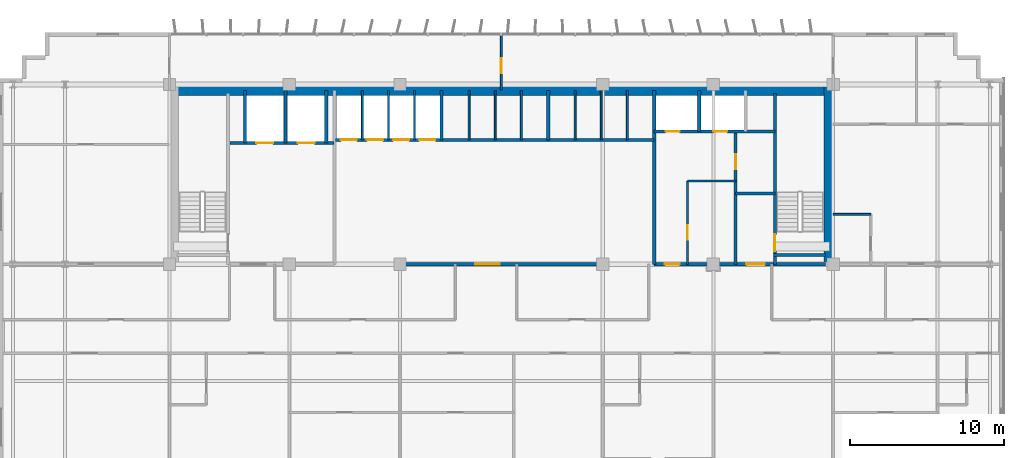
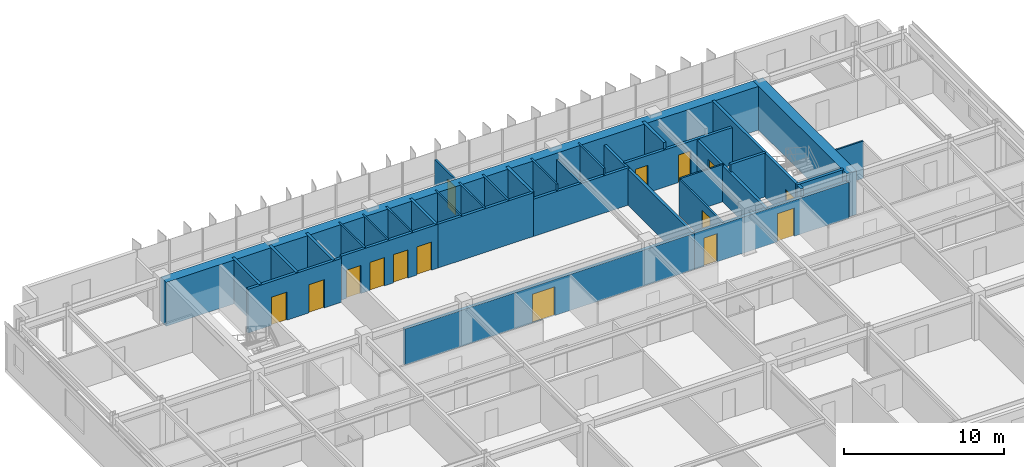
# One storey, part 18 of 22: 33 walls, 15 doors, 15 openings.
"""IFC4 building model written with IfcOpenShell, lengths in metres."""

from ifc_helpers import new_model, si_unit, direction, frame, frame_2d, origin, place, context, subcontext, project, spatial, rectangle, extrude, source, transform, mapped, material, layer, layer_set, type_object, element, fill, save


model = new_model("IFC4")

# Units and contexts
model_context = context("Model", 3, precision=1e-05, world=origin(), true_north=direction((0.0, 1.0)))
body_context = subcontext(model_context, "Body", "Model", "MODEL_VIEW")
ifc_project = project(units=[si_unit("LENGTHUNIT", "METRE"), si_unit("AREAUNIT", "SQUARE_METRE"), si_unit("VOLUMEUNIT", "CUBIC_METRE"), si_unit("PLANEANGLEUNIT", "RADIAN"), si_unit("MASSUNIT", "GRAM", prefix="KILO")], contexts=[model_context])

# Site, building, storey
site_placement = place(None, origin())
site = spatial("IfcSite", under=ifc_project, at=site_placement, CompositionType="ELEMENT")
building_placement = place(site_placement, origin())
building = spatial("IfcBuilding", under=site, at=building_placement, Name="Trelvane Seafront Commons", CompositionType="ELEMENT")
storey_placement = place(building_placement, frame((0.0, 0.0, 121.300048828125)))
storey = spatial("IfcBuildingStorey", under=building, at=storey_placement, Name="L31", CompositionType="ELEMENT", Elevation=121.300048828125)

# Wall, opening, door
ifc_material_1 = material(Name="Concrete C40/50", Category="concrete")
ifc_layer_1 = layer(ifc_material_1, 0.199951171875, Name="ARCH-WALL-FIRE200")
ifc_layer_set_1 = layer_set([ifc_layer_1], Name="Concrete C40/50")
wall_type_1 = type_object("IfcWallType", Name="ARCH-WALL-FIRE200", PredefinedType="PARTITIONING", material=ifc_layer_set_1)
wall_1_placement = place(storey_placement, frame((52.449951171875, 33.39990234375, 0.0), z_axis=(0.0, 0.0, 1.0), x_axis=(0.0, 1.0, 0.0)))
wall_1 = element("IfcWall", 1, at=wall_1_placement, inside=storey, type_object=wall_type_1, Name="W-L31-ST2V-W-033", PredefinedType="PARTITIONING", context=body_context, shape_type="SweptSolid", body=[
    extrude(rectangle(XDim=8.650146484375, YDim=0.199951171875, at=frame_2d((4.3251953125, 0.0))), origin(), (0.0, 0.0, 1.0), 2.751953125),
])
opening_1_placement = place(wall_1_placement, frame((6.199951171875, 0.0, 0.0)))
opening_1 = element("IfcOpeningElement", 2, at=opening_1_placement, cuts=wall_1, Name="Opening FD-L31-13", PredefinedType="OPENING", context=body_context, shape_type="SweptSolid", body=[
    extrude(rectangle(XDim=0.949951171875, YDim=2.14990234375, at=frame_2d((0.47509765625, 1.074951171875))), frame((0.0, 0.10986328125, 0.0), z_axis=(0.0, -1.0, 0.0), x_axis=(1.0, 0.0, 0.0)), (0.0, 0.0, 1.0), 0.219970703125),
])
ifc_material_2 = material(Name="Powder-coated aluminium frame", Category="aluminium")
door_type_1 = type_object("IfcDoorType", Name="ARCH-DR-FD60-950", OperationType="NOTDEFINED", PredefinedType="DOOR", material=ifc_material_2)
shared_shape_1 = source(origin(), body_context, "Body", "SweptSolid", [
    extrude(rectangle(XDim=0.949951171875, YDim=2.14990234375, at=frame_2d((0.47509765625, 1.074951171875))), frame((0.0, 0.02490234375, 0.0), z_axis=(0.0, -1.0, 0.0), x_axis=(1.0, 0.0, 0.0)), (0.0, 0.0, 1.0), 0.050048828125),
])
door_1_placement = place(opening_1_placement, origin())
door_1 = element("IfcDoor", 3, at=door_1_placement, inside=storey, type_object=door_type_1, Name="L31 Cleaner Store Door", OperationType="SINGLE_SWING_LEFT", OverallHeight=2.14990234375, OverallWidth=0.949951171875, PredefinedType="DOOR", context=body_context, shape_type="MappedRepresentation", body=[
    mapped(shared_shape_1, transform((0.0, 0.0, 0.0), x_axis=(1.0, 0.0, 0.0), y_axis=(0.0, 1.0, 0.0), z_axis=(0.0, 0.0, 1.0), scale=1.0)),
])
fill(opening_1, door_1)

# Wall
wall_2_placement = place(storey_placement, frame((52.449951171875, 38.0, 0.0), z_axis=(0.0, 0.0, 1.0), x_axis=(1.0, 0.0, 0.0)))
element("IfcWall", 4, at=wall_2_placement, inside=storey, type_object=wall_type_1, Name="W-L31-ST2V-N-034", PredefinedType="PARTITIONING", context=body_context, shape_type="SweptSolid", body=[
    extrude(rectangle(XDim=2.550048828125, YDim=0.199951171875, at=frame_2d((1.27490234375, 0.0))), origin(), (0.0, 0.0, 1.0), 3.33984375),
])

# Wall, opening, door
ifc_layer_2 = layer(ifc_material_1, 0.25, Name="ARCH-WALL-FIRE250")
ifc_layer_set_2 = layer_set([ifc_layer_2], Name="Concrete C40/50")
wall_type_2 = type_object("IfcWallType", Name="ARCH-WALL-FIRE250", PredefinedType="PARTITIONING", material=ifc_layer_set_2)
wall_3_placement = place(storey_placement, frame((26.300048828125, 33.39990234375, 0.0), z_axis=(0.0, 0.0, 1.0), x_axis=(1.0, 0.0, 0.0)))
wall_3 = element("IfcWall", 5, at=wall_3_placement, inside=storey, type_object=wall_type_2, Name="W-L31-CS-PAX-029", PredefinedType="PARTITIONING", context=body_context, shape_type="SweptSolid", body=[
    extrude(rectangle(XDim=20.849853515625, YDim=0.25, at=frame_2d((10.4248046875, 0.0))), origin(), (0.0, 0.0, 1.0), 2.751953125),
])
opening_2_placement = place(wall_3_placement, frame((9.199951171875, 0.0, 0.0)))
opening_2 = element("IfcOpeningElement", 6, at=opening_2_placement, cuts=wall_3, Name="Opening FD-L31-10", PredefinedType="OPENING", context=body_context, shape_type="SweptSolid", body=[
    extrude(rectangle(XDim=1.60009765625, YDim=2.199951171875, at=frame_2d((0.800048828125, 1.10009765625))), frame((0.0, 0.135009765625, 0.0), z_axis=(0.0, -1.0, 0.0), x_axis=(1.0, 0.0, 0.0)), (0.0, 0.0, 1.0), 0.27001953125),
])
door_type_2 = type_object("IfcDoorType", Name="ARCH-DR-FD60-1600", OperationType="DOUBLE_DOOR_SINGLE_SWING", PredefinedType="DOOR", material=ifc_material_2)
shared_shape_2 = source(origin(), body_context, "Body", "SweptSolid", [
    extrude(rectangle(XDim=1.60009765625, YDim=2.199951171875, at=frame_2d((0.800048828125, 1.10009765625))), frame((0.0, 0.02490234375, 0.0), z_axis=(0.0, -1.0, 0.0), x_axis=(1.0, 0.0, 0.0)), (0.0, 0.0, 1.0), 0.050048828125),
])
door_2_placement = place(opening_2_placement, origin())
door_2 = element("IfcDoor", 7, at=door_2_placement, inside=storey, type_object=door_type_2, Name="L31 Passenger Lift Lobby Double Door", OperationType="DOUBLE_DOOR_SINGLE_SWING", OverallHeight=2.199951171875, OverallWidth=1.60009765625, PredefinedType="DOOR", context=body_context, shape_type="MappedRepresentation", body=[
    mapped(shared_shape_2, transform((0.0, 0.0, 0.0), x_axis=(1.0, 0.0, 0.0), y_axis=(0.0, 1.0, 0.0), z_axis=(0.0, 0.0, 1.0), scale=1.0)),
])
fill(opening_2, door_2)

# Wall, openings, doors
wall_4_placement = place(storey_placement, frame((47.14990234375, 33.39990234375, 0.0), z_axis=(0.0, 0.0, 1.0), x_axis=(1.0, 0.0, 0.0)))
wall_4 = element("IfcWall", 8, at=wall_4_placement, inside=storey, type_object=wall_type_2, Name="W-L31-CS-EAST-037", PredefinedType="PARTITIONING", context=body_context, shape_type="SweptSolid", body=[
    extrude(rectangle(XDim=11.150146484375, YDim=0.25, at=frame_2d((5.5751953125, 0.0))), origin(), (0.0, 0.0, 1.0), 2.751953125),
])
opening_3_placement = place(wall_4_placement, frame((0.699951171875, 0.0, 0.0)))
opening_3 = element("IfcOpeningElement", 9, at=opening_3_placement, cuts=wall_4, Name="Opening FD-L31-15", PredefinedType="OPENING", context=body_context, shape_type="SweptSolid", body=[
    extrude(rectangle(XDim=0.949951171875, YDim=2.14990234375, at=frame_2d((0.47509765625, 1.074951171875))), frame((0.0, 0.135009765625, 0.0), z_axis=(0.0, -1.0, 0.0), x_axis=(1.0, 0.0, 0.0)), (0.0, 0.0, 1.0), 0.27001953125),
])
opening_4_placement = place(wall_4_placement, frame((6.0, 0.0, 0.0)))
opening_4 = element("IfcOpeningElement", 10, at=opening_4_placement, cuts=wall_4, Name="Opening FD-L31-16", PredefinedType="OPENING", context=body_context, shape_type="SweptSolid", body=[
    extrude(rectangle(XDim=1.199951171875, YDim=2.14990234375, at=frame_2d((0.60009765625, 1.074951171875))), frame((0.0, 0.135009765625, 0.0), z_axis=(0.0, -1.0, 0.0), x_axis=(1.0, 0.0, 0.0)), (0.0, 0.0, 1.0), 0.27001953125),
])
door_3_placement = place(opening_3_placement, origin())
door_3 = element("IfcDoor", 11, at=door_3_placement, inside=storey, type_object=door_type_1, Name="L31 Core Service Lobby Door", OperationType="SINGLE_SWING_LEFT", OverallHeight=2.14990234375, OverallWidth=0.949951171875, PredefinedType="DOOR", context=body_context, shape_type="MappedRepresentation", body=[
    mapped(shared_shape_1, transform((0.0, 0.0, 0.0), x_axis=(1.0, 0.0, 0.0), y_axis=(0.0, 1.0, 0.0), z_axis=(0.0, 0.0, 1.0), scale=1.0)),
])
fill(opening_3, door_3)
door_type_3 = type_object("IfcDoorType", Name="ARCH-DR-FD60-1200", OperationType="NOTDEFINED", PredefinedType="DOOR", material=ifc_material_2)
shared_shape_3 = source(origin(), body_context, "Body", "SweptSolid", [
    extrude(rectangle(XDim=1.199951171875, YDim=2.14990234375, at=frame_2d((0.60009765625, 1.074951171875))), frame((0.0, 0.02490234375, 0.0), z_axis=(0.0, -1.0, 0.0), x_axis=(1.0, 0.0, 0.0)), (0.0, 0.0, 1.0), 0.050048828125),
])
door_4_placement = place(opening_4_placement, origin())
door_4 = element("IfcDoor", 12, at=door_4_placement, inside=storey, type_object=door_type_3, Name="L31 East Stair Vestibule Fire Door", OperationType="SINGLE_SWING_RIGHT", OverallHeight=2.14990234375, OverallWidth=1.199951171875, PredefinedType="DOOR", context=body_context, shape_type="MappedRepresentation", body=[
    mapped(shared_shape_3, transform((0.0, 0.0, 0.0), x_axis=(1.0, 0.0, 0.0), y_axis=(0.0, 1.0, 0.0), z_axis=(0.0, 0.0, 1.0), scale=1.0)),
])
fill(opening_4, door_4)

# Walls
ifc_material_3 = material(Name="Gypsum Drywall Acoustic Partition")
ifc_layer_3 = layer(ifc_material_3, 0.1201171875, Name="ARCH-WALL-PART120")
ifc_layer_set_3 = layer_set([ifc_layer_3], Name="Gypsum Drywall Acoustic Partition")
wall_type_3 = type_object("IfcWallType", Name="ARCH-WALL-PART120", PredefinedType="PARTITIONING", material=ifc_layer_set_3)
for number, where, z_axis, x_axis, name in (
    (13, (28.14990234375, 41.5, 0.0), (0.0, 0.0, 1.0), (0.0, 1.0, 0.0), "W-L31-PL-DIV1-016"),
    (14, (29.85009765625, 41.5, 0.0), (0.0, 0.0, 1.0), (0.0, 1.0, 0.0), "W-L31-PL-DIV2-017"),
    (15, (31.550048828125, 41.5, 0.0), (0.0, 0.0, 1.0), (0.0, 1.0, 0.0), "W-L31-PL-DIV3-018"),
    (16, (35.10009765625, 41.5, 0.0), (0.0, 0.0, 1.0), (0.0, 1.0, 0.0), "W-L31-PM-DIV1-020"),
    (17, (36.800048828125, 41.5, 0.0), (0.0, 0.0, 1.0), (0.0, 1.0, 0.0), "W-L31-PM-DIV2-021"),
    (18, (38.5, 41.5, 0.0), (0.0, 0.0, 1.0), (0.0, 1.0, 0.0), "W-L31-PM-DIV3-022"),
    (19, (42.0, 41.5, 0.0), (0.0, 0.0, 1.0), (0.0, 1.0, 0.0), "W-L31-PH-DIV1-025"),
):
    element("IfcWall", number, at=place(storey_placement, frame(where, z_axis=z_axis, x_axis=x_axis)), inside=storey, type_object=wall_type_3, Name=name, PredefinedType="PARTITIONING", context=body_context, shape_type="SweptSolid", body=[
        extrude(rectangle(XDim=3.199951171875, YDim=0.1201171875, at=frame_2d((1.60009765625, 0.0))), origin(), (0.0, 0.0, 1.0), 3.33984375),
    ])
wall_5_placement = place(storey_placement, frame((43.699951171875, 41.5, 0.0), z_axis=(0.0, 0.0, 1.0), x_axis=(0.0, 1.0, 0.0)))
element("IfcWall", 20, at=wall_5_placement, inside=storey, type_object=wall_type_3, Name="W-L31-PH-DIV2-026", PredefinedType="PARTITIONING", context=body_context, shape_type="SweptSolid", body=[
    extrude(rectangle(XDim=3.199951171875, YDim=0.1201171875, at=frame_2d((1.60009765625, 0.0))), origin(), (0.0, 0.0, 1.0), 2.83984375),
])
wall_6_placement = place(storey_placement, frame((45.39990234375, 41.5, 0.0), z_axis=(0.0, 0.0, 1.0), x_axis=(0.0, 1.0, 0.0)))
element("IfcWall", 21, at=wall_6_placement, inside=storey, type_object=wall_type_3, Name="W-L31-PH-DIV3-027", PredefinedType="PARTITIONING", context=body_context, shape_type="SweptSolid", body=[
    extrude(rectangle(XDim=3.199951171875, YDim=0.1201171875, at=frame_2d((1.60009765625, 0.0))), origin(), (0.0, 0.0, 1.0), 3.33984375),
])

# Wall, opening, door
wall_7_placement = place(storey_placement, frame((49.320068359375, 33.39990234375, 0.0), z_axis=(0.0, 0.0, 1.0), x_axis=(0.0, 1.0, 0.0)))
wall_7 = element("IfcWall", 22, at=wall_7_placement, inside=storey, type_object=wall_type_3, Name="W-L31-CYC2-V-035", PredefinedType="PARTITIONING", context=body_context, shape_type="SweptSolid", body=[
    extrude(rectangle(XDim=5.420166015625, YDim=0.1201171875, at=frame_2d((2.7099609375, 0.0))), origin(), (0.0, 0.0, 1.0), 2.751953125),
])
opening_5_placement = place(wall_7_placement, frame((1.60009765625, 0.0, 0.0)))
opening_5 = element("IfcOpeningElement", 23, at=opening_5_placement, cuts=wall_7, Name="Opening D-L31-14", PredefinedType="OPENING", context=body_context, shape_type="SweptSolid", body=[
    extrude(rectangle(XDim=0.949951171875, YDim=2.14990234375, at=frame_2d((0.47509765625, 1.074951171875))), frame((0.0, 0.070068359375, 0.0), z_axis=(0.0, -1.0, 0.0), x_axis=(1.0, 0.0, 0.0)), (0.0, 0.0, 1.0), 0.14013671875),
])
ifc_material_4 = material(Name="Acoustic timber door leaf", Category="wood")
door_type_4 = type_object("IfcDoorType", Name="ARCH-DR-INT950", OperationType="NOTDEFINED", PredefinedType="DOOR", material=ifc_material_4)
door_5_placement = place(opening_5_placement, origin())
door_5 = element("IfcDoor", 24, at=door_5_placement, inside=storey, type_object=door_type_4, Name="L31 Accessible WC Door", OperationType="SINGLE_SWING_RIGHT", OverallHeight=2.14990234375, OverallWidth=0.949951171875, PredefinedType="DOOR", context=body_context, shape_type="MappedRepresentation", body=[
    mapped(shared_shape_1, transform((0.0, 0.0, 0.0), x_axis=(1.0, 0.0, 0.0), y_axis=(0.0, 1.0, 0.0), z_axis=(0.0, 0.0, 1.0), scale=1.0)),
])
fill(opening_5, door_5)

# Walls
wall_8_placement = place(storey_placement, frame((49.320068359375, 38.820068359375, 0.0), z_axis=(0.0, 0.0, 1.0), x_axis=(1.0, 0.0, 0.0)))
element("IfcWall", 25, at=wall_8_placement, inside=storey, type_object=wall_type_3, Name="W-L31-CYC2-H-036", PredefinedType="PARTITIONING", context=body_context, shape_type="SweptSolid", body=[
    extrude(rectangle(XDim=3.1298828125, YDim=0.1201171875, at=frame_2d((1.56494140625, 0.0))), origin(), (0.0, 0.0, 1.0), 2.83984375),
])
wall_9_placement = place(storey_placement, frame((58.800048828125, 36.64990234375, 0.0), z_axis=(0.0, 0.0, 1.0), x_axis=(1.0, 0.0, 0.0)))
element("IfcWall", 26, at=wall_9_placement, inside=storey, type_object=wall_type_3, Name="W-L31-NE-BN-052", PredefinedType="PARTITIONING", context=body_context, shape_type="SweptSolid", body=[
    extrude(rectangle(XDim=2.449951171875, YDim=0.1201171875, at=frame_2d((1.22509765625, 0.0))), origin(), (0.0, 0.0, 1.0), 2.83984375),
])

# Wall, opening, door
wall_10_placement = place(storey_placement, frame((37.199951171875, 44.75, 0.0), z_axis=(0.0, 0.0, 1.0), x_axis=(0.0, 1.0, 0.0)))
wall_10 = element("IfcWall", 27, at=wall_10_placement, inside=storey, type_object=wall_type_3, Name="W-L31-N-MID-DV-057", PredefinedType="PARTITIONING", context=body_context, shape_type="SweptSolid", body=[
    extrude(rectangle(XDim=3.610107421875, YDim=0.1201171875, at=frame_2d((1.80517578125, 0.0))), origin(), (0.0, 0.0, 1.0), 2.751953125),
])
opening_6_placement = place(wall_10_placement, frame((1.10009765625, 0.0, 0.0)))
opening_6 = element("IfcOpeningElement", 28, at=opening_6_placement, cuts=wall_10, Name="Opening D-L31-28", PredefinedType="OPENING", context=body_context, shape_type="SweptSolid", body=[
    extrude(rectangle(XDim=0.949951171875, YDim=2.14990234375, at=frame_2d((0.47509765625, 1.074951171875))), frame((0.0, 0.070068359375, 0.0), z_axis=(0.0, -1.0, 0.0), x_axis=(1.0, 0.0, 0.0)), (0.0, 0.0, 1.0), 0.14013671875),
])
door_6_placement = place(opening_6_placement, origin())
door_6 = element("IfcDoor", 29, at=door_6_placement, inside=storey, type_object=door_type_4, Name="L31 Door 28", OperationType="SINGLE_SWING_RIGHT", OverallHeight=2.14990234375, OverallWidth=0.949951171875, PredefinedType="DOOR", context=body_context, shape_type="MappedRepresentation", body=[
    mapped(shared_shape_1, transform((0.0, 0.0, 0.0), x_axis=(1.0, 0.0, 0.0), y_axis=(0.0, 1.0, 0.0), z_axis=(0.0, 0.0, 1.0), scale=1.0)),
])
fill(opening_6, door_6)

# Wall, openings, doors
ifc_layer_4 = layer(ifc_material_1, 0.199951171875, Name="ARCH-WALL-SHAFT200")
ifc_layer_set_4 = layer_set([ifc_layer_4], Name="Concrete C40/50")
wall_type_4 = type_object("IfcWallType", Name="ARCH-WALL-SHAFT200", PredefinedType="SOLIDWALL", material=ifc_layer_set_4)
wall_11_placement = place(storey_placement, frame((19.550048828125, 41.300048828125, 0.0), z_axis=(0.0, 0.0, 1.0), x_axis=(1.0, 0.0, 0.0)))
wall_11 = element("IfcWall", 30, at=wall_11_placement, inside=storey, type_object=wall_type_4, Name="W-L31-FFL-FRONT-008", PredefinedType="SOLIDWALL", context=body_context, shape_type="SweptSolid", body=[
    extrude(rectangle(XDim=6.75, YDim=0.199951171875, at=frame_2d((3.375, 0.0))), origin(), (0.0, 0.0, 1.0), 3.33984375),
])
opening_7_placement = place(wall_11_placement, frame((1.699951171875, 0.0, 0.0)))
opening_7 = element("IfcOpeningElement", 31, at=opening_7_placement, cuts=wall_11, Name="Opening LD-FF1-L31", PredefinedType="OPENING", context=body_context, shape_type="SweptSolid", body=[
    extrude(rectangle(XDim=1.10009765625, YDim=2.14990234375, at=frame_2d((0.550048828125, 1.074951171875))), frame((0.0, 0.10986328125, 0.0), z_axis=(0.0, -1.0, 0.0), x_axis=(1.0, 0.0, 0.0)), (0.0, 0.0, 1.0), 0.219970703125),
])
opening_8_placement = place(wall_11_placement, frame((4.39990234375, 0.0, 0.0)))
opening_8 = element("IfcOpeningElement", 32, at=opening_8_placement, cuts=wall_11, Name="Opening LD-FF2-L31", PredefinedType="OPENING", context=body_context, shape_type="SweptSolid", body=[
    extrude(rectangle(XDim=1.10009765625, YDim=2.14990234375, at=frame_2d((0.550048828125, 1.074951171875))), frame((0.0, 0.10986328125, 0.0), z_axis=(0.0, -1.0, 0.0), x_axis=(1.0, 0.0, 0.0)), (0.0, 0.0, 1.0), 0.219970703125),
])
ifc_material_5 = material(Name="Stainless steel balustrade", Category="steel")
door_type_5 = type_object("IfcDoorType", Name="ARCH-DR-LD1100", OperationType="DOUBLE_DOOR_SLIDING", PredefinedType="DOOR", material=ifc_material_5)
shared_shape_4 = source(origin(), body_context, "Body", "SweptSolid", [
    extrude(rectangle(XDim=1.10009765625, YDim=2.14990234375, at=frame_2d((0.550048828125, 1.074951171875))), frame((0.0, 0.02490234375, 0.0), z_axis=(0.0, -1.0, 0.0), x_axis=(1.0, 0.0, 0.0)), (0.0, 0.0, 1.0), 0.050048828125),
])
door_7_placement = place(opening_7_placement, origin())
door_7 = element("IfcDoor", 33, at=door_7_placement, inside=storey, type_object=door_type_5, Name="L31 Firefighting Lift FFL-1 Landing Door", OperationType="DOUBLE_DOOR_SLIDING", OverallHeight=2.14990234375, OverallWidth=1.10009765625, PredefinedType="DOOR", context=body_context, shape_type="MappedRepresentation", body=[
    mapped(shared_shape_4, transform((0.0, 0.0, 0.0), x_axis=(1.0, 0.0, 0.0), y_axis=(0.0, 1.0, 0.0), z_axis=(0.0, 0.0, 1.0), scale=1.0)),
])
fill(opening_7, door_7)
door_8_placement = place(opening_8_placement, origin())
door_8 = element("IfcDoor", 34, at=door_8_placement, inside=storey, type_object=door_type_5, Name="L31 Firefighting Lift FFL-2 Landing Door", OperationType="DOUBLE_DOOR_SLIDING", OverallHeight=2.14990234375, OverallWidth=1.10009765625, PredefinedType="DOOR", context=body_context, shape_type="MappedRepresentation", body=[
    mapped(shared_shape_4, transform((0.0, 0.0, 0.0), x_axis=(1.0, 0.0, 0.0), y_axis=(0.0, 1.0, 0.0), z_axis=(0.0, 0.0, 1.0), scale=1.0)),
])
fill(opening_8, door_8)

# Walls
for number, where, z_axis, x_axis, name in (
    (35, (20.5, 41.300048828125, 0.0), (0.0, 0.0, 1.0), (0.0, 1.0, 0.0), "W-L31-FFL-SH-W-009"),
    (36, (23.14990234375, 41.300048828125, 0.0), (0.0, 0.0, 1.0), (0.0, 1.0, 0.0), "W-L31-FFL-DIV-010"),
    (37, (25.800048828125, 41.300048828125, 0.0), (0.0, 0.0, 1.0), (0.0, 1.0, 0.0), "W-L31-FFL-SH-E-011"),
):
    element("IfcWall", number, at=place(storey_placement, frame(where, z_axis=z_axis, x_axis=x_axis)), inside=storey, type_object=wall_type_4, Name=name, PredefinedType="SOLIDWALL", context=body_context, shape_type="SweptSolid", body=[
        extrude(rectangle(XDim=3.39990234375, YDim=0.199951171875, at=frame_2d((1.699951171875, 0.0))), origin(), (0.0, 0.0, 1.0), 3.33984375),
    ])

# Wall, openings, doors
wall_12_placement = place(storey_placement, frame((26.39990234375, 41.5, 0.0), z_axis=(0.0, 0.0, 1.0), x_axis=(1.0, 0.0, 0.0)))
wall_12 = element("IfcWall", 38, at=wall_12_placement, inside=storey, type_object=wall_type_4, Name="W-L31-PL-FRONT-014", PredefinedType="SOLIDWALL", context=body_context, shape_type="SweptSolid", body=[
    extrude(rectangle(XDim=6.9501953125, YDim=0.199951171875, at=frame_2d((3.47509765625, 0.0))), origin(), (0.0, 0.0, 1.0), 3.33984375),
])
opening_9_placement = place(wall_12_placement, frame((0.35009765625, 0.0, 0.0)))
opening_9 = element("IfcOpeningElement", 39, at=opening_9_placement, cuts=wall_12, Name="Opening LD-PL1-L31", PredefinedType="OPENING", context=body_context, shape_type="SweptSolid", body=[
    extrude(rectangle(XDim=1.050048828125, YDim=2.14990234375, at=frame_2d((0.52490234375, 1.074951171875))), frame((0.0, 0.10986328125, 0.0), z_axis=(0.0, -1.0, 0.0), x_axis=(1.0, 0.0, 0.0)), (0.0, 0.0, 1.0), 0.219970703125),
])
opening_10_placement = place(wall_12_placement, frame((2.050048828125, 0.0, 0.0)))
opening_10 = element("IfcOpeningElement", 40, at=opening_10_placement, cuts=wall_12, Name="Opening LD-PL2-L31", PredefinedType="OPENING", context=body_context, shape_type="SweptSolid", body=[
    extrude(rectangle(XDim=1.050048828125, YDim=2.14990234375, at=frame_2d((0.52490234375, 1.074951171875))), frame((0.0, 0.10986328125, 0.0), z_axis=(0.0, -1.0, 0.0), x_axis=(1.0, 0.0, 0.0)), (0.0, 0.0, 1.0), 0.219970703125),
])
opening_11_placement = place(wall_12_placement, frame((3.75, 0.0, 0.0)))
opening_11 = element("IfcOpeningElement", 41, at=opening_11_placement, cuts=wall_12, Name="Opening LD-PL3-L31", PredefinedType="OPENING", context=body_context, shape_type="SweptSolid", body=[
    extrude(rectangle(XDim=1.050048828125, YDim=2.14990234375, at=frame_2d((0.52490234375, 1.074951171875))), frame((0.0, 0.10986328125, 0.0), z_axis=(0.0, -1.0, 0.0), x_axis=(1.0, 0.0, 0.0)), (0.0, 0.0, 1.0), 0.219970703125),
])
opening_12_placement = place(wall_12_placement, frame((5.449951171875, 0.0, 0.0)))
opening_12 = element("IfcOpeningElement", 42, at=opening_12_placement, cuts=wall_12, Name="Opening LD-PL4-L31", PredefinedType="OPENING", context=body_context, shape_type="SweptSolid", body=[
    extrude(rectangle(XDim=1.050048828125, YDim=2.14990234375, at=frame_2d((0.52490234375, 1.074951171875))), frame((0.0, 0.10986328125, 0.0), z_axis=(0.0, -1.0, 0.0), x_axis=(1.0, 0.0, 0.0)), (0.0, 0.0, 1.0), 0.219970703125),
])
door_type_6 = type_object("IfcDoorType", Name="ARCH-DR-LD1050", OperationType="DOUBLE_DOOR_SLIDING", PredefinedType="DOOR", material=ifc_material_5)
shared_shape_5 = source(origin(), body_context, "Body", "SweptSolid", [
    extrude(rectangle(XDim=1.050048828125, YDim=2.14990234375, at=frame_2d((0.52490234375, 1.074951171875))), frame((0.0, 0.02490234375, 0.0), z_axis=(0.0, -1.0, 0.0), x_axis=(1.0, 0.0, 0.0)), (0.0, 0.0, 1.0), 0.050048828125),
])
door_9_placement = place(opening_9_placement, origin())
door_9 = element("IfcDoor", 43, at=door_9_placement, inside=storey, type_object=door_type_6, Name="L31 Passenger Lift PL-1 Landing Door", OperationType="DOUBLE_DOOR_SLIDING", OverallHeight=2.14990234375, OverallWidth=1.050048828125, PredefinedType="DOOR", context=body_context, shape_type="MappedRepresentation", body=[
    mapped(shared_shape_5, transform((0.0, 0.0, 0.0), x_axis=(1.0, 0.0, 0.0), y_axis=(0.0, 1.0, 0.0), z_axis=(0.0, 0.0, 1.0), scale=1.0)),
])
fill(opening_9, door_9)
door_10_placement = place(opening_10_placement, origin())
door_10 = element("IfcDoor", 44, at=door_10_placement, inside=storey, type_object=door_type_6, Name="L31 Passenger Lift PL-2 Landing Door", OperationType="DOUBLE_DOOR_SLIDING", OverallHeight=2.14990234375, OverallWidth=1.050048828125, PredefinedType="DOOR", context=body_context, shape_type="MappedRepresentation", body=[
    mapped(shared_shape_5, transform((0.0, 0.0, 0.0), x_axis=(1.0, 0.0, 0.0), y_axis=(0.0, 1.0, 0.0), z_axis=(0.0, 0.0, 1.0), scale=1.0)),
])
fill(opening_10, door_10)
door_11_placement = place(opening_11_placement, origin())
door_11 = element("IfcDoor", 45, at=door_11_placement, inside=storey, type_object=door_type_6, Name="L31 Passenger Lift PL-3 Landing Door", OperationType="DOUBLE_DOOR_SLIDING", OverallHeight=2.14990234375, OverallWidth=1.050048828125, PredefinedType="DOOR", context=body_context, shape_type="MappedRepresentation", body=[
    mapped(shared_shape_5, transform((0.0, 0.0, 0.0), x_axis=(1.0, 0.0, 0.0), y_axis=(0.0, 1.0, 0.0), z_axis=(0.0, 0.0, 1.0), scale=1.0)),
])
fill(opening_11, door_11)
door_12_placement = place(opening_12_placement, origin())
door_12 = element("IfcDoor", 46, at=door_12_placement, inside=storey, type_object=door_type_6, Name="L31 Passenger Lift PL-4 Landing Door", OperationType="DOUBLE_DOOR_SLIDING", OverallHeight=2.14990234375, OverallWidth=1.050048828125, PredefinedType="DOOR", context=body_context, shape_type="MappedRepresentation", body=[
    mapped(shared_shape_5, transform((0.0, 0.0, 0.0), x_axis=(1.0, 0.0, 0.0), y_axis=(0.0, 1.0, 0.0), z_axis=(0.0, 0.0, 1.0), scale=1.0)),
])
fill(opening_12, door_12)

# Walls
wall_13_placement = place(storey_placement, frame((33.300048828125, 41.5, 0.0), z_axis=(0.0, 0.0, 1.0), x_axis=(0.0, 1.0, 0.0)))
element("IfcWall", 47, at=wall_13_placement, inside=storey, type_object=wall_type_4, Name="W-L31-PL-EAST-SH-015", PredefinedType="SOLIDWALL", context=body_context, shape_type="SweptSolid", body=[
    extrude(rectangle(XDim=3.199951171875, YDim=0.199951171875, at=frame_2d((1.60009765625, 0.0))), origin(), (0.0, 0.0, 1.0), 3.33984375),
])
wall_14_placement = place(storey_placement, frame((33.35009765625, 41.5, 0.0), z_axis=(0.0, 0.0, 1.0), x_axis=(1.0, 0.0, 0.0)))
element("IfcWall", 48, at=wall_14_placement, inside=storey, type_object=wall_type_4, Name="W-L31-PM-FRONT-019", PredefinedType="SOLIDWALL", context=body_context, shape_type="SweptSolid", body=[
    extrude(rectangle(XDim=6.89990234375, YDim=0.199951171875, at=frame_2d((3.449951171875, 0.0))), origin(), (0.0, 0.0, 1.0), 3.33984375),
])
wall_15_placement = place(storey_placement, frame((40.25, 41.5, 0.0), z_axis=(0.0, 0.0, 1.0), x_axis=(1.0, 0.0, 0.0)))
element("IfcWall", 49, at=wall_15_placement, inside=storey, type_object=wall_type_4, Name="W-L31-PH-FRONT-023", PredefinedType="SOLIDWALL", context=body_context, shape_type="SweptSolid", body=[
    extrude(rectangle(XDim=6.89990234375, YDim=0.199951171875, at=frame_2d((3.449951171875, 0.0))), origin(), (0.0, 0.0, 1.0), 2.83984375),
])
wall_16_placement = place(storey_placement, frame((40.25, 41.5, 0.0), z_axis=(0.0, 0.0, 1.0), x_axis=(0.0, 1.0, 0.0)))
element("IfcWall", 50, at=wall_16_placement, inside=storey, type_object=wall_type_4, Name="W-L31-PH-WEST-SH-024", PredefinedType="SOLIDWALL", context=body_context, shape_type="SweptSolid", body=[
    extrude(rectangle(XDim=3.199951171875, YDim=0.199951171875, at=frame_2d((1.60009765625, 0.0))), origin(), (0.0, 0.0, 1.0), 3.33984375),
])
wall_17_placement = place(storey_placement, frame((47.14990234375, 33.39990234375, 0.0), z_axis=(0.0, 0.0, 1.0), x_axis=(0.0, 1.0, 0.0)))
element("IfcWall", 51, at=wall_17_placement, inside=storey, type_object=wall_type_4, Name="W-L31-PH-EAST-028", PredefinedType="SOLIDWALL", context=body_context, shape_type="SweptSolid", body=[
    extrude(rectangle(XDim=11.300048828125, YDim=0.199951171875, at=frame_2d((5.64990234375, 0.0))), origin(), (0.0, 0.0, 1.0), 2.751953125),
])

# Wall, openings, doors
wall_18_placement = place(storey_placement, frame((47.14990234375, 42.050048828125, 0.0), z_axis=(0.0, 0.0, 1.0), x_axis=(1.0, 0.0, 0.0)))
wall_18 = element("IfcWall", 52, at=wall_18_placement, inside=storey, type_object=wall_type_4, Name="W-L31-RSR-S-030", PredefinedType="SOLIDWALL", context=body_context, shape_type="SweptSolid", body=[
    extrude(rectangle(XDim=7.85009765625, YDim=0.199951171875, at=frame_2d((3.925048828125, 0.0))), origin(), (0.0, 0.0, 1.0), 2.83984375),
])
opening_13_placement = place(wall_18_placement, frame((0.75, 0.0, 0.0)))
opening_13 = element("IfcOpeningElement", 53, at=opening_13_placement, cuts=wall_18, Name="Opening FD-L31-11", PredefinedType="OPENING", context=body_context, shape_type="SweptSolid", body=[
    extrude(rectangle(XDim=0.89990234375, YDim=2.10009765625, at=frame_2d((0.449951171875, 1.050048828125))), frame((0.0, 0.10986328125, 0.0), z_axis=(0.0, -1.0, 0.0), x_axis=(1.0, 0.0, 0.0)), (0.0, 0.0, 1.0), 0.219970703125),
])
opening_14_placement = place(wall_18_placement, frame((3.85009765625, 0.0, 0.0)))
opening_14 = element("IfcOpeningElement", 54, at=opening_14_placement, cuts=wall_18, Name="Opening FD-L31-12", PredefinedType="OPENING", context=body_context, shape_type="SweptSolid", body=[
    extrude(rectangle(XDim=0.89990234375, YDim=2.10009765625, at=frame_2d((0.449951171875, 1.050048828125))), frame((0.0, 0.10986328125, 0.0), z_axis=(0.0, -1.0, 0.0), x_axis=(1.0, 0.0, 0.0)), (0.0, 0.0, 1.0), 0.219970703125),
])
door_type_7 = type_object("IfcDoorType", Name="ARCH-DR-FD60-900", OperationType="NOTDEFINED", PredefinedType="DOOR", material=ifc_material_2)
shared_shape_6 = source(origin(), body_context, "Body", "SweptSolid", [
    extrude(rectangle(XDim=0.89990234375, YDim=2.10009765625, at=frame_2d((0.449951171875, 1.050048828125))), frame((0.0, 0.02490234375, 0.0), z_axis=(0.0, -1.0, 0.0), x_axis=(1.0, 0.0, 0.0)), (0.0, 0.0, 1.0), 0.050048828125),
])
door_13_placement = place(opening_13_placement, origin())
door_13 = element("IfcDoor", 55, at=door_13_placement, inside=storey, type_object=door_type_7, Name="L31 Electrical Riser Access Door", OperationType="SINGLE_SWING_LEFT", OverallHeight=2.10009765625, OverallWidth=0.89990234375, PredefinedType="DOOR", context=body_context, shape_type="MappedRepresentation", body=[
    mapped(shared_shape_6, transform((0.0, 0.0, 0.0), x_axis=(1.0, 0.0, 0.0), y_axis=(0.0, 1.0, 0.0), z_axis=(0.0, 0.0, 1.0), scale=1.0)),
])
fill(opening_13, door_13)
door_14_placement = place(opening_14_placement, origin())
door_14 = element("IfcDoor", 56, at=door_14_placement, inside=storey, type_object=door_type_7, Name="L31 Mechanical Riser Access Door", OperationType="SINGLE_SWING_RIGHT", OverallHeight=2.10009765625, OverallWidth=0.89990234375, PredefinedType="DOOR", context=body_context, shape_type="MappedRepresentation", body=[
    mapped(shared_shape_6, transform((0.0, 0.0, 0.0), x_axis=(1.0, 0.0, 0.0), y_axis=(0.0, 1.0, 0.0), z_axis=(0.0, 0.0, 1.0), scale=1.0)),
])
fill(opening_14, door_14)

# Walls
wall_19_placement = place(storey_placement, frame((50.080078125, 42.050048828125, 0.0), z_axis=(0.0, 0.0, 1.0), x_axis=(0.0, 1.0, 0.0)))
element("IfcWall", 57, at=wall_19_placement, inside=storey, type_object=wall_type_4, Name="W-L31-RSR-DIV-031", PredefinedType="SOLIDWALL", context=body_context, shape_type="SweptSolid", body=[
    extrude(rectangle(XDim=2.64990234375, YDim=0.199951171875, at=frame_2d((1.324951171875, 0.0))), origin(), (0.0, 0.0, 1.0), 3.33984375),
])
ifc_material_6 = material(Name="Concrete C60/75", Category="concrete")
ifc_layer_5 = layer(ifc_material_6, 0.699951171875, Name="STR-WALL-CORE700")
ifc_layer_set_5 = layer_set([ifc_layer_5], Name="Concrete C60/75")
wall_type_5 = type_object("IfcWallType", Name="STR-WALL-CORE700", PredefinedType="SHEAR", material=ifc_layer_set_5)
wall_20_placement = place(storey_placement, frame((15.5, 44.75, 0.0), z_axis=(0.0, 0.0, 1.0), x_axis=(1.0, 0.0, 0.0)))
element("IfcWall", 58, at=wall_20_placement, inside=storey, type_object=wall_type_5, Name="W-L31-CN-ALL-001", PredefinedType="SHEAR", context=body_context, shape_type="SweptSolid", body=[
    extrude(rectangle(XDim=43.39990234375, YDim=0.699951171875, at=frame_2d((21.699951171875, 0.0))), origin(), (0.0, 0.0, 1.0), 3.33984375),
])
wall_21_placement = place(storey_placement, frame((58.550048828125, 33.39990234375, 0.0), z_axis=(0.0, 0.0, 1.0), x_axis=(0.0, 1.0, 0.0)))
element("IfcWall", 59, at=wall_21_placement, inside=storey, type_object=wall_type_5, Name="W-L31-CE-END-003", PredefinedType="SHEAR", context=body_context, shape_type="SweptSolid", body=[
    extrude(rectangle(XDim=11.7001953125, YDim=0.699951171875, at=frame_2d((5.85009765625, 0.0))), origin(), (0.0, 0.0, 1.0), 3.33984375),
])
ifc_material_7 = material(Name="Concrete C50/60", Category="concrete")
ifc_layer_6 = layer(ifc_material_7, 0.199951171875, Name="STR-WALL-STAIR200")
ifc_layer_set_6 = layer_set([ifc_layer_6], Name="Concrete C50/60")
wall_type_6 = type_object("IfcWallType", Name="STR-WALL-STAIR200", PredefinedType="SHEAR", material=ifc_layer_set_6)
wall_22_placement = place(storey_placement, frame((54.89990234375, 34.0, 0.0), z_axis=(0.0, 0.0, 1.0), x_axis=(1.0, 0.0, 0.0)))
element("IfcWall", 60, at=wall_22_placement, inside=storey, type_object=wall_type_6, Name="W-L31-ST2-S-006", PredefinedType="SHEAR", context=body_context, shape_type="SweptSolid", body=[
    extrude(rectangle(XDim=3.400146484375, YDim=0.199951171875, at=frame_2d((1.7001953125, 0.0))), origin(), (0.0, 0.0, 1.0), 3.33984375),
])

# Wall, opening, door
wall_23_placement = place(storey_placement, frame((55.0, 33.39990234375, 0.0), z_axis=(0.0, 0.0, 1.0), x_axis=(0.0, 1.0, 0.0)))
wall_23 = element("IfcWall", 61, at=wall_23_placement, inside=storey, type_object=wall_type_6, Name="W-L31-ST2-W-007", PredefinedType="SHEAR", context=body_context, shape_type="SweptSolid", body=[
    extrude(rectangle(XDim=11.10009765625, YDim=0.199951171875, at=frame_2d((5.550048828125, 0.0))), origin(), (0.0, 0.0, 1.0), 3.33984375),
])
opening_15_placement = place(wall_23_placement, frame((0.85009765625, 0.0, 0.0)))
opening_15 = element("IfcOpeningElement", 62, at=opening_15_placement, cuts=wall_23, Name="Opening ST-D2-L31", PredefinedType="OPENING", context=body_context, shape_type="SweptSolid", body=[
    extrude(rectangle(XDim=1.10009765625, YDim=2.14990234375, at=frame_2d((0.550048828125, 1.074951171875))), frame((0.0, 0.10986328125, 0.0), z_axis=(0.0, -1.0, 0.0), x_axis=(1.0, 0.0, 0.0)), (0.0, 0.0, 1.0), 0.219970703125),
])
door_type_8 = type_object("IfcDoorType", Name="ARCH-DR-FD90-1100", OperationType="NOTDEFINED", PredefinedType="DOOR", material=ifc_material_2)
door_15_placement = place(opening_15_placement, origin())
door_15 = element("IfcDoor", 63, at=door_15_placement, inside=storey, type_object=door_type_8, Name="L31 Stair ST-2 Vestibule Fire Door", OperationType="SINGLE_SWING_RIGHT", OverallHeight=2.14990234375, OverallWidth=1.10009765625, PredefinedType="DOOR", context=body_context, shape_type="MappedRepresentation", body=[
    mapped(shared_shape_4, transform((0.0, 0.0, 0.0), x_axis=(1.0, 0.0, 0.0), y_axis=(0.0, 1.0, 0.0), z_axis=(0.0, 0.0, 1.0), scale=1.0)),
])
fill(opening_15, door_15)

save(model, "model.ifc")
